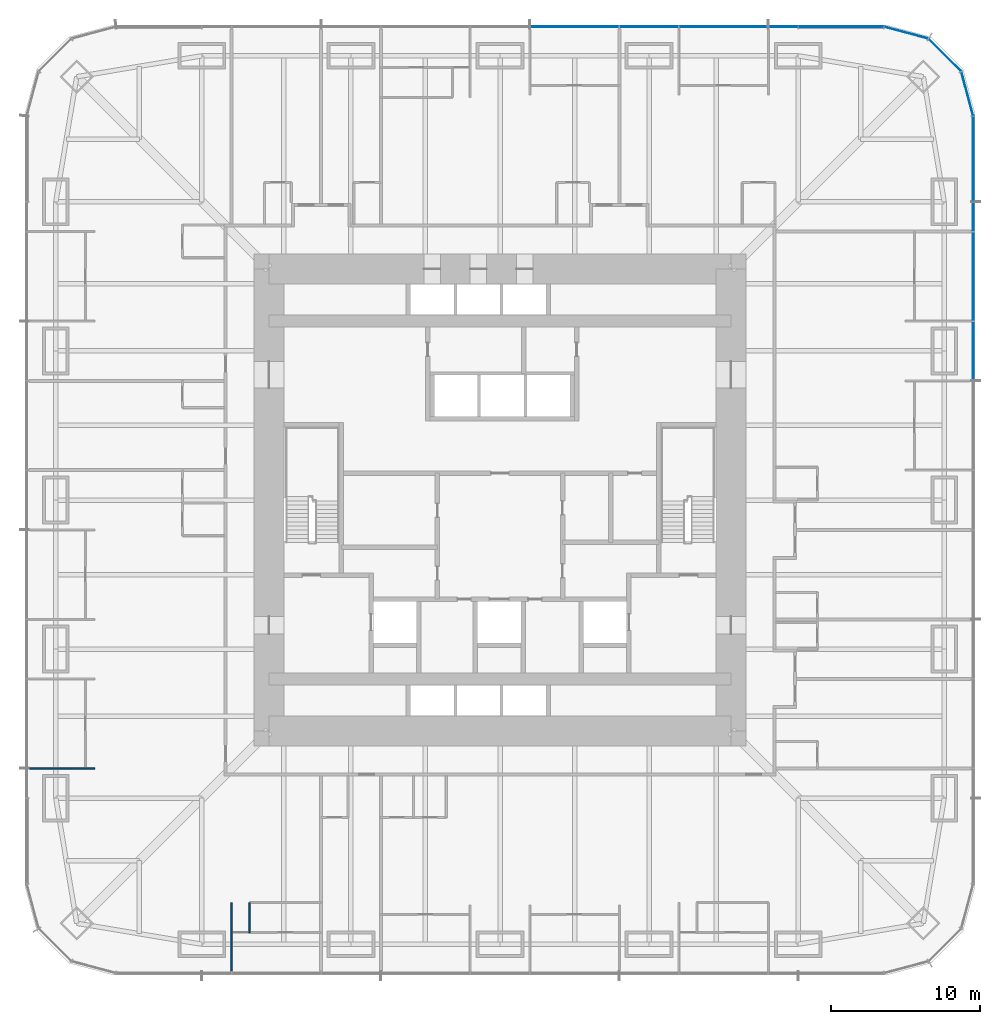
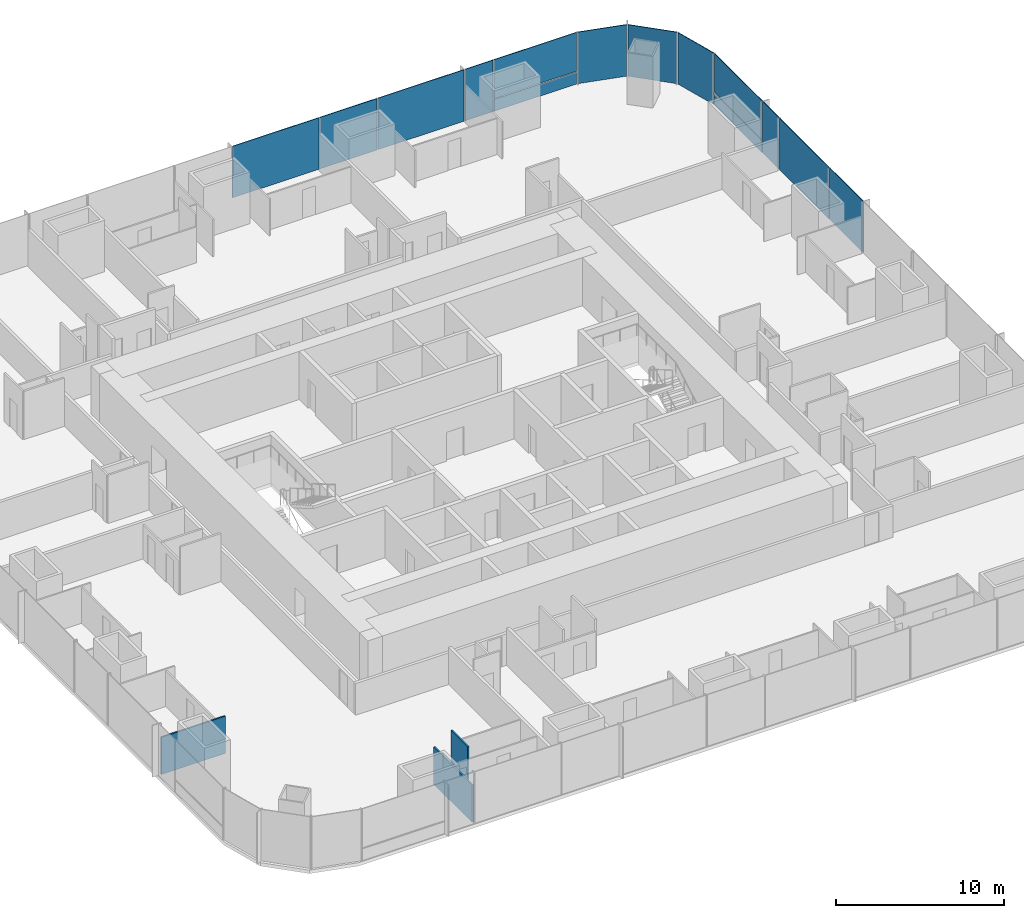
# One storey, part 11 of 17: 14 plates, 3 walls, 3 elements without a shape of their own.
"""IFC4 building model written with IfcOpenShell, lengths in metres."""

from ifc_helpers import new_model, si_unit, direction, frame, frame_2d, origin, origin_2d, place, context, subcontext, project, spatial, rectangle, extrude, material, layer, layer_set, type_object, element, aggregate, save


model = new_model("IFC4")

# Units and contexts
model_context = context("Model", 3, precision=1e-05, world=origin(), true_north=direction((0.0, 1.0)))
body_context = subcontext(model_context, "Body", "Model", "MODEL_VIEW")
ifc_project = project(units=[si_unit("LENGTHUNIT", "METRE"), si_unit("AREAUNIT", "SQUARE_METRE"), si_unit("VOLUMEUNIT", "CUBIC_METRE"), si_unit("PLANEANGLEUNIT", "RADIAN"), si_unit("MASSUNIT", "GRAM", prefix="KILO")], contexts=[model_context])

# Site, building, storey
site_placement = place(None, origin())
site = spatial("IfcSite", under=ifc_project, at=site_placement, CompositionType="ELEMENT")
building_placement = place(site_placement, origin())
building = spatial("IfcBuilding", under=site, at=building_placement, Name="Khuree Lantern Residences", CompositionType="ELEMENT")
storey_placement = place(building_placement, frame((0.0, 0.0, 36.0)))
storey = spatial("IfcBuildingStorey", under=building, at=storey_placement, Name="L08", CompositionType="ELEMENT", Elevation=36.0)

# Curtain wall, plates
ifc_material_1 = material(Name="Bronze anodised aluminium", Category="aluminium")
curtain_wall_type_1 = type_object("IfcCurtainWallType", Name="CW-T2 TOWER CORNER CURTAIN WALL", PredefinedType="USERDEFINED", material=ifc_material_1)
curtain_wall_1_placement = place(storey_placement, origin())
curtain_wall_1 = element("IfcCurtainWall", 1, at=curtain_wall_1_placement, inside=storey, type_object=curtain_wall_type_1, Name="L08 NORTH-EAST CORNER CURTAIN WALL", ObjectType="Faceted corner curtain wall", PredefinedType="USERDEFINED")
ifc_material_2 = material(Name="Bronze tinted triple glazing", Category="glass")
ifc_layer_1 = layer(ifc_material_2, 0.048095703125)
ifc_layer_set_1 = layer_set([ifc_layer_1], Name="FACET PANEL P4")
plate_type_1 = type_object("IfcPlateType", Name="FACET PANEL P4", PredefinedType="CURTAIN_PANEL", material=ifc_layer_set_1)
plate_1_placement = place(storey_placement, frame((31.3486328125, 27.248046875, 0.0), z_axis=(0.0, 0.0, 1.0), x_axis=(-0.258819172081, 0.965925792265, 0.0)))
plate_1 = element("IfcPlate", 2, at=plate_1_placement, type_object=plate_type_1, Name="L08 NORTH-EAST CORNER PANEL 15.1", PredefinedType="CURTAIN_PANEL", context=body_context, shape_type="SweptSolid", body=[
    extrude(rectangle(XDim=3.02978515625, YDim=0.048095703125, at=origin_2d()), origin(), (0.0, 0.0, 1.0), 3.75),
])
plate_2_placement = place(storey_placement, frame((29.84814453125, 29.84814453125, 0.0), z_axis=(0.0, 0.0, 1.0), x_axis=(-0.707106781187, 0.707106781187, 0.0)))
plate_2 = element("IfcPlate", 3, at=plate_2_placement, type_object=plate_type_1, Name="L08 NORTH-EAST CORNER PANEL 16.1", PredefinedType="CURTAIN_PANEL", context=body_context, shape_type="SweptSolid", body=[
    extrude(rectangle(XDim=3.025634765625, YDim=0.048095703125, at=origin_2d()), origin(), (0.0, 0.0, 1.0), 3.75),
])
plate_3_placement = place(storey_placement, frame((27.248046875, 31.3486328125, 0.0), z_axis=(0.0, 0.0, 1.0), x_axis=(-0.965925792265, 0.258819172081, 0.0)))
plate_3 = element("IfcPlate", 4, at=plate_3_placement, type_object=plate_type_1, Name="L08 NORTH-EAST CORNER PANEL 17.1", PredefinedType="CURTAIN_PANEL", context=body_context, shape_type="SweptSolid", body=[
    extrude(rectangle(XDim=3.02978515625, YDim=0.048095703125, at=origin_2d()), origin(), (0.0, 0.0, 1.0), 3.75),
])
aggregate(curtain_wall_1, [plate_1, plate_2, plate_3])

# Curtain wall, plate
curtain_wall_type_2 = type_object("IfcCurtainWallType", Name="CW-T1 TOWER FACE CURTAIN WALL", PredefinedType="USERDEFINED", material=ifc_material_1)
curtain_wall_2_placement = place(storey_placement, origin())
curtain_wall_2 = element("IfcCurtainWall", 5, at=curtain_wall_2_placement, inside=storey, type_object=curtain_wall_type_2, Name="L08 EAST FACE CURTAIN WALL", ObjectType="Stick-built curtain wall", PredefinedType="USERDEFINED")
ifc_material_3 = material(Name="Bronze tinted triple glazing with a ceramic-fritted spandrel band", Category="glass")
ifc_layer_2 = layer(ifc_material_3, 0.048095703125)
ifc_layer_set_2 = layer_set([ifc_layer_2], Name="FIXED LIGHT PANEL P11")
plate_type_2 = type_object("IfcPlateType", Name="FIXED LIGHT PANEL P11", PredefinedType="CURTAIN_PANEL", material=ifc_layer_set_2)
plate_4_placement = place(storey_placement, frame((31.75, 15.0, 0.0), z_axis=(0.0, 0.0, 1.0), x_axis=(0.0, 1.0, 0.0)))
plate_4 = element("IfcPlate", 6, at=plate_4_placement, type_object=plate_type_2, Name="L08 EAST FACE PANEL 12.1", PredefinedType="CURTAIN_PANEL", context=body_context, shape_type="SweptSolid", body=[
    extrude(rectangle(XDim=5.93505859375, YDim=0.048095703125, at=origin_2d()), origin(), (0.0, 0.0, 1.0), 3.75),
])

# Curtain wall, plates
curtain_wall_3_placement = place(storey_placement, origin())
curtain_wall_3 = element("IfcCurtainWall", 7, at=curtain_wall_3_placement, inside=storey, type_object=curtain_wall_type_2, Name="L08 NORTH FACE CURTAIN WALL", ObjectType="Stick-built curtain wall", PredefinedType="USERDEFINED")
plate_5_placement = place(storey_placement, frame((15.0, 31.75, 0.0), z_axis=(0.0, 0.0, 1.0), x_axis=(-1.0, 0.0, 0.0)))
plate_5 = element("IfcPlate", 8, at=plate_5_placement, type_object=plate_type_2, Name="L08 NORTH FACE PANEL 20.1", PredefinedType="CURTAIN_PANEL", context=body_context, shape_type="SweptSolid", body=[
    extrude(rectangle(XDim=5.93505859375, YDim=0.048095703125, at=origin_2d()), origin(), (0.0, 0.0, 1.0), 3.75),
])
plate_6_placement = place(storey_placement, frame((5.0, 31.75, 0.0), z_axis=(0.0, 0.0, 1.0), x_axis=(-1.0, 0.0, 0.0)))
plate_6 = element("IfcPlate", 9, at=plate_6_placement, type_object=plate_type_2, Name="L08 NORTH FACE PANEL 22.1", PredefinedType="CURTAIN_PANEL", context=body_context, shape_type="SweptSolid", body=[
    extrude(rectangle(XDim=5.93505859375, YDim=0.048095703125, at=origin_2d()), origin(), (0.0, 0.0, 1.0), 3.75),
])

# Plate
ifc_material_4 = material(Name="Bronze tinted triple glazing, two aluminium-framed sashes in one frame", Category="aluminium")
ifc_layer_3 = layer(ifc_material_4, 0.048095703125)
ifc_layer_set_3 = layer_set([ifc_layer_3], Name="SASH PAIR PANEL P12")
plate_type_3 = type_object("IfcPlateType", Name="SASH PAIR PANEL P12", PredefinedType="CURTAIN_PANEL", material=ifc_layer_set_3)
plate_7_placement = place(storey_placement, frame((31.75, 10.0, 0.0), z_axis=(0.0, 0.0, 1.0), x_axis=(0.0, 1.0, 0.0)))
plate_7 = element("IfcPlate", 10, at=plate_7_placement, type_object=plate_type_3, Name="L08 EAST FACE PANEL 11.1", PredefinedType="CURTAIN_PANEL", context=body_context, shape_type="SweptSolid", body=[
    extrude(rectangle(XDim=3.93505859375, YDim=0.048095703125, at=origin_2d()), origin(), (0.0, 0.0, 1.0), 3.75),
])

plate_8_placement = place(storey_placement, frame((10.0, 31.75, 0.0), z_axis=(0.0, 0.0, 1.0), x_axis=(-1.0, 0.0, 0.0)))
plate_8 = element("IfcPlate", 11, at=plate_8_placement, type_object=plate_type_3, Name="L08 NORTH FACE PANEL 21.1", PredefinedType="CURTAIN_PANEL", context=body_context, shape_type="SweptSolid", body=[
    extrude(rectangle(XDim=3.93505859375, YDim=0.048095703125, at=origin_2d()), origin(), (0.0, 0.0, 1.0), 3.75),
])

ifc_material_5 = material(Name="Bronze tinted triple glazing, aluminium-framed sash", Category="aluminium")
ifc_layer_4 = layer(ifc_material_5, 0.048095703125)
ifc_layer_set_4 = layer_set([ifc_layer_4], Name="SASH PANEL P3")
plate_type_4 = type_object("IfcPlateType", Name="SASH PANEL P3", PredefinedType="CURTAIN_PANEL", material=ifc_layer_set_4)
plate_9_placement = place(storey_placement, frame((31.75, 19.0, 0.0), z_axis=(0.0, 0.0, 1.0), x_axis=(0.0, 1.0, 0.0)))
plate_9 = element("IfcPlate", 12, at=plate_9_placement, type_object=plate_type_4, Name="L08 EAST FACE PANEL 13.1", PredefinedType="CURTAIN_PANEL", context=body_context, shape_type="SweptSolid", body=[
    extrude(rectangle(XDim=1.93505859375, YDim=0.048095703125, at=origin_2d()), origin(), (0.0, 0.0, 1.0), 3.75),
])

plate_10_placement = place(storey_placement, frame((19.0, 31.75, 0.0), z_axis=(0.0, 0.0, 1.0), x_axis=(-1.0, 0.0, 0.0)))
plate_10 = element("IfcPlate", 13, at=plate_10_placement, type_object=plate_type_4, Name="L08 NORTH FACE PANEL 19.1", PredefinedType="CURTAIN_PANEL", context=body_context, shape_type="SweptSolid", body=[
    extrude(rectangle(XDim=1.93505859375, YDim=0.048095703125, at=origin_2d()), origin(), (0.0, 0.0, 1.0), 3.75),
])

ifc_material_6 = material(Name="Bronze anodised aluminium insulated spandrel", Category="aluminium")
ifc_layer_5 = layer(ifc_material_6, 0.06005859375)
ifc_layer_set_5 = layer_set([ifc_layer_5], Name="SPANDREL PANEL P2")
plate_type_5 = type_object("IfcPlateType", Name="SPANDREL PANEL P2", PredefinedType="CURTAIN_PANEL", material=ifc_layer_set_5)
plate_11_placement = place(storey_placement, frame((31.75, 22.872802734375, 0.0), z_axis=(0.0, 0.0, 1.0), x_axis=(0.0, 1.0, 0.0)))
plate_11 = element("IfcPlate", 14, at=plate_11_placement, type_object=plate_type_5, Name="L08 EAST FACE PANEL 14.1", PredefinedType="CURTAIN_PANEL", context=body_context, shape_type="SweptSolid", body=[
    extrude(rectangle(XDim=5.6806640625, YDim=0.06005859375, at=origin_2d()), origin(), (0.0, 0.0, 1.0), 0.867431640625),
])

plate_12_placement = place(storey_placement, frame((22.872802734375, 31.75, 0.0), z_axis=(0.0, 0.0, 1.0), x_axis=(-1.0, 0.0, 0.0)))
plate_12 = element("IfcPlate", 15, at=plate_12_placement, type_object=plate_type_5, Name="L08 NORTH FACE PANEL 18.1", PredefinedType="CURTAIN_PANEL", context=body_context, shape_type="SweptSolid", body=[
    extrude(rectangle(XDim=5.6806640625, YDim=0.06005859375, at=origin_2d()), origin(), (0.0, 0.0, 1.0), 0.867431640625),
])

ifc_layer_6 = layer(ifc_material_2, 0.048095703125)
ifc_layer_set_6 = layer_set([ifc_layer_6], Name="VISION PANEL P1")
plate_type_6 = type_object("IfcPlateType", Name="VISION PANEL P1", PredefinedType="CURTAIN_PANEL", material=ifc_layer_set_6)
plate_13_placement = place(storey_placement, frame((31.75, 22.873291015625, 0.9326171875), z_axis=(0.0, 0.0, 1.0), x_axis=(0.0, 1.0, 0.0)))
plate_13 = element("IfcPlate", 16, at=plate_13_placement, type_object=plate_type_6, Name="L08 EAST FACE PANEL 14.2", PredefinedType="CURTAIN_PANEL", context=body_context, shape_type="SweptSolid", body=[
    extrude(rectangle(XDim=5.681640625, YDim=0.048095703125, at=origin_2d()), origin(), (0.0, 0.0, 1.0), 2.8173828125),
])

aggregate(curtain_wall_2, [plate_7, plate_4, plate_9, plate_11, plate_13])

plate_14_placement = place(storey_placement, frame((22.873291015625, 31.75, 0.9326171875), z_axis=(0.0, 0.0, 1.0), x_axis=(-1.0, 0.0, 0.0)))
plate_14 = element("IfcPlate", 17, at=plate_14_placement, type_object=plate_type_6, Name="L08 NORTH FACE PANEL 18.2", PredefinedType="CURTAIN_PANEL", context=body_context, shape_type="SweptSolid", body=[
    extrude(rectangle(XDim=5.681640625, YDim=0.048095703125, at=origin_2d()), origin(), (0.0, 0.0, 1.0), 2.8173828125),
])

aggregate(curtain_wall_3, [plate_12, plate_14, plate_10, plate_5, plate_8, plate_6])

# Walls
ifc_material_7 = material(Name="Gypsum board on steel studs", Category="steel")
ifc_layer_7 = layer(ifc_material_7, 0.10009765625)
ifc_layer_set_7 = layer_set([ifc_layer_7], Name="PARTITION PT100")
wall_type = type_object("IfcWallType", Name="PARTITION PT100", PredefinedType="PARTITIONING", material=ifc_layer_set_7)
wall_1_placement = place(storey_placement, frame((-27.199951171875, -18.0, 0.0), z_axis=(0.0, 0.0, 1.0), x_axis=(-1.0, 0.0, 0.0)))
element("IfcWall", 18, at=wall_1_placement, inside=storey, type_object=wall_type, Name="L08 PARTITION 09", PredefinedType="PARTITIONING", context=body_context, shape_type="SweptSolid", body=[
    extrude(rectangle(XDim=4.400146484375, YDim=0.10009765625, at=frame_2d((2.2001953125, 0.0))), origin(), (0.0, 0.0, 1.0), 2.7099609375),
])
wall_2_placement = place(storey_placement, frame((-18.0, -27.0166015625, 0.0), z_axis=(0.0, 0.0, 1.0), x_axis=(0.0, -1.0, 0.0)))
element("IfcWall", 19, at=wall_2_placement, inside=storey, type_object=wall_type, Name="L08 PARTITION 09", PredefinedType="PARTITIONING", context=body_context, shape_type="SweptSolid", body=[
    extrude(rectangle(XDim=4.58349609375, YDim=0.10009765625, at=frame_2d((2.291748046875, 0.0))), origin(), (0.0, 0.0, 1.0), 2.7099609375),
])
wall_3_placement = place(storey_placement, frame((-16.800048828125, -27.0166015625, 0.0), z_axis=(0.0, 0.0, 1.0), x_axis=(0.0, -1.0, 0.0)))
element("IfcWall", 20, at=wall_3_placement, inside=storey, type_object=wall_type, Name="L08 PARTITION 09", PredefinedType="PARTITIONING", context=body_context, shape_type="SweptSolid", body=[
    extrude(rectangle(XDim=2.0, YDim=0.10009765625, at=frame_2d((1.0, 0.0))), origin(), (0.0, 0.0, 1.0), 3.5),
])

save(model, "model.ifc")
